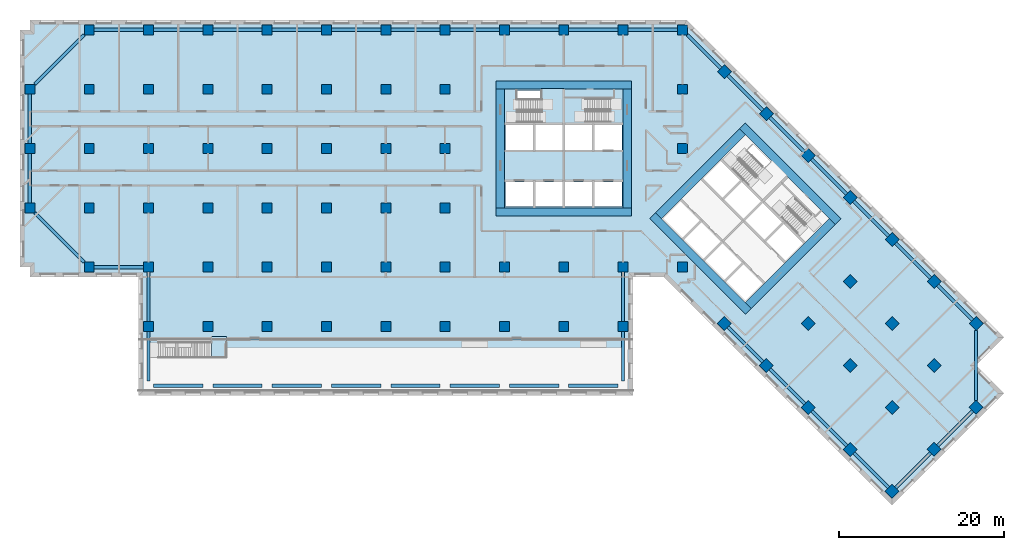
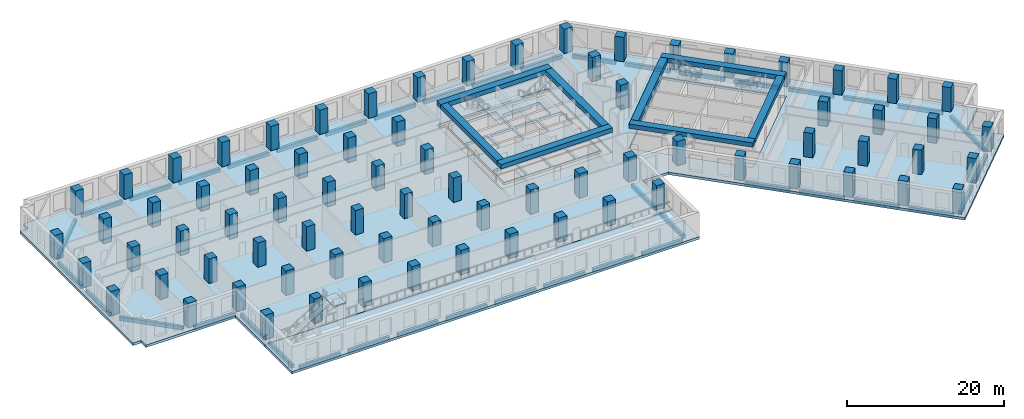
# One storey, part 1 of 13: 77 columns, 49 beams, 6 slabs, 12 openings, 3 elements without a shape of their own.
"""IFC4 building model written with IfcOpenShell, lengths in metres."""

from ifc_helpers import new_model, si_unit, direction, frame, origin, origin_2d, place, context, subcontext, project, spatial, polyline, rectangle, outline, extrude, material, layer, layer_set, material_profile, profile_set, type_object, element, aggregate, save


model = new_model("IFC4")

# Units and contexts
model_context = context("Model", 3, precision=1e-05, world=origin(), true_north=direction((0.0, 1.0)))
body_context = subcontext(model_context, "Body", "Model", "MODEL_VIEW")
ifc_project = project(units=[si_unit("LENGTHUNIT", "METRE"), si_unit("AREAUNIT", "SQUARE_METRE"), si_unit("VOLUMEUNIT", "CUBIC_METRE"), si_unit("PLANEANGLEUNIT", "RADIAN"), si_unit("MASSUNIT", "GRAM", prefix="KILO")], contexts=[model_context])

# Site, building, storey
site_placement = place(None, origin())
site = spatial("IfcSite", under=ifc_project, at=site_placement, CompositionType="ELEMENT")
building_placement = place(site_placement, origin())
building = spatial("IfcBuilding", under=site, at=building_placement, Name="Windrow Commons", CompositionType="ELEMENT")
storey_placement = place(building_placement, frame((0.0, 0.0, 14.4)))
storey = spatial("IfcBuildingStorey", under=building, at=storey_placement, Name="L03", CompositionType="ELEMENT", Elevation=14.4)

# Columns
ifc_material_1 = material(Name="Concrete C60/75", Category="concrete")
ifc_material_profile_1 = material_profile(ifc_material_1, rectangle(XDim=1.2, YDim=1.2, at=origin_2d()))
ifc_profile_set_1 = profile_set([ifc_material_profile_1], Name="Concrete C60/75")
column_type = type_object("IfcColumnType", Name="RC COLUMN 1200x1200 C60/75", PredefinedType="COLUMN", material=ifc_profile_set_1)
for number, where, z_axis, x_axis, name in (
    (1, (0.0, 50.4, 0.0), (0.0, 0.0, 1.0), (1.0, 0.0, 0.0), "C-P-01G"),
    (2, (0.0, 57.6, 0.0), (0.0, 0.0, 1.0), (1.0, 0.0, 0.0), "C-P-01H"),
    (3, (0.0, 64.8, 0.0), (0.0, 0.0, 1.0), (1.0, 0.0, 0.0), "C-P-01I"),
    (4, (7.2, 43.2, 0.0), (0.0, 0.0, 1.0), (1.0, 0.0, 0.0), "C-P-02F"),
    (5, (7.2, 50.4, 0.0), (0.0, 0.0, 1.0), (1.0, 0.0, 0.0), "C-P-02G"),
    (6, (7.2, 57.6, 0.0), (0.0, 0.0, 1.0), (1.0, 0.0, 0.0), "C-P-02H"),
    (7, (7.2, 64.8, 0.0), (0.0, 0.0, 1.0), (1.0, 0.0, 0.0), "C-P-02I"),
    (8, (7.2, 72.0, 0.0), (0.0, 0.0, 1.0), (1.0, 0.0, 0.0), "C-P-02J"),
    (9, (14.4, 36.0, 0.0), (0.0, 0.0, 1.0), (1.0, 0.0, 0.0), "C-P-03E"),
    (10, (14.4, 43.2, 0.0), (0.0, 0.0, 1.0), (1.0, 0.0, 0.0), "C-P-03F"),
    (11, (14.4, 50.4, 0.0), (0.0, 0.0, 1.0), (1.0, 0.0, 0.0), "C-P-03G"),
    (12, (14.4, 57.6, 0.0), (0.0, 0.0, 1.0), (1.0, 0.0, 0.0), "C-P-03H"),
    (13, (14.4, 64.8, 0.0), (0.0, 0.0, 1.0), (1.0, 0.0, 0.0), "C-P-03I"),
    (14, (14.4, 72.0, 0.0), (0.0, 0.0, 1.0), (1.0, 0.0, 0.0), "C-P-03J"),
    (15, (21.6, 36.0, 0.0), (0.0, 0.0, 1.0), (1.0, 0.0, 0.0), "C-P-04E"),
    (16, (21.6, 43.2, 0.0), (0.0, 0.0, 1.0), (1.0, 0.0, 0.0), "C-P-04F"),
    (17, (21.6, 50.4, 0.0), (0.0, 0.0, 1.0), (1.0, 0.0, 0.0), "C-P-04G"),
    (18, (21.6, 57.6, 0.0), (0.0, 0.0, 1.0), (1.0, 0.0, 0.0), "C-P-04H"),
    (19, (21.6, 64.8, 0.0), (0.0, 0.0, 1.0), (1.0, 0.0, 0.0), "C-P-04I"),
    (20, (21.6, 72.0, 0.0), (0.0, 0.0, 1.0), (1.0, 0.0, 0.0), "C-P-04J"),
    (21, (28.8, 36.0, 0.0), (0.0, 0.0, 1.0), (1.0, 0.0, 0.0), "C-P-05E"),
    (22, (28.8, 43.2, 0.0), (0.0, 0.0, 1.0), (1.0, 0.0, 0.0), "C-P-05F"),
    (23, (28.8, 50.4, 0.0), (0.0, 0.0, 1.0), (1.0, 0.0, 0.0), "C-P-05G"),
    (24, (28.8, 57.6, 0.0), (0.0, 0.0, 1.0), (1.0, 0.0, 0.0), "C-P-05H"),
    (25, (28.8, 64.8, 0.0), (0.0, 0.0, 1.0), (1.0, 0.0, 0.0), "C-P-05I"),
    (26, (28.8, 72.0, 0.0), (0.0, 0.0, 1.0), (1.0, 0.0, 0.0), "C-P-05J"),
    (27, (36.0, 36.0, 0.0), (0.0, 0.0, 1.0), (1.0, 0.0, 0.0), "C-P-06E"),
    (28, (36.0, 43.2, 0.0), (0.0, 0.0, 1.0), (1.0, 0.0, 0.0), "C-P-06F"),
    (29, (36.0, 50.4, 0.0), (0.0, 0.0, 1.0), (1.0, 0.0, 0.0), "C-P-06G"),
    (30, (36.0, 57.6, 0.0), (0.0, 0.0, 1.0), (1.0, 0.0, 0.0), "C-P-06H"),
    (31, (36.0, 64.8, 0.0), (0.0, 0.0, 1.0), (1.0, 0.0, 0.0), "C-P-06I"),
    (32, (36.0, 72.0, 0.0), (0.0, 0.0, 1.0), (1.0, 0.0, 0.0), "C-P-06J"),
    (33, (43.2, 36.0, 0.0), (0.0, 0.0, 1.0), (1.0, 0.0, 0.0), "C-P-07E"),
    (34, (43.2, 43.2, 0.0), (0.0, 0.0, 1.0), (1.0, 0.0, 0.0), "C-P-07F"),
    (35, (43.2, 50.4, 0.0), (0.0, 0.0, 1.0), (1.0, 0.0, 0.0), "C-P-07G"),
    (36, (43.2, 57.6, 0.0), (0.0, 0.0, 1.0), (1.0, 0.0, 0.0), "C-P-07H"),
    (37, (43.2, 64.8, 0.0), (0.0, 0.0, 1.0), (1.0, 0.0, 0.0), "C-P-07I"),
    (38, (43.2, 72.0, 0.0), (0.0, 0.0, 1.0), (1.0, 0.0, 0.0), "C-P-07J"),
    (39, (50.4, 36.0, 0.0), (0.0, 0.0, 1.0), (1.0, 0.0, 0.0), "C-P-08E"),
    (40, (50.4, 43.2, 0.0), (0.0, 0.0, 1.0), (1.0, 0.0, 0.0), "C-P-08F"),
    (41, (50.4, 50.4, 0.0), (0.0, 0.0, 1.0), (1.0, 0.0, 0.0), "C-P-08G"),
    (42, (50.4, 57.6, 0.0), (0.0, 0.0, 1.0), (1.0, 0.0, 0.0), "C-P-08H"),
    (43, (50.4, 64.8, 0.0), (0.0, 0.0, 1.0), (1.0, 0.0, 0.0), "C-P-08I"),
    (44, (50.4, 72.0, 0.0), (0.0, 0.0, 1.0), (1.0, 0.0, 0.0), "C-P-08J"),
    (45, (57.6, 36.0, 0.0), (0.0, 0.0, 1.0), (1.0, 0.0, 0.0), "C-P-09E"),
    (46, (57.6, 43.2, 0.0), (0.0, 0.0, 1.0), (1.0, 0.0, 0.0), "C-P-09F"),
    (47, (57.6, 72.0, 0.0), (0.0, 0.0, 1.0), (1.0, 0.0, 0.0), "C-P-09J"),
    (48, (64.8, 36.0, 0.0), (0.0, 0.0, 1.0), (1.0, 0.0, 0.0), "C-P-10E"),
    (49, (64.8, 43.2, 0.0), (0.0, 0.0, 1.0), (1.0, 0.0, 0.0), "C-P-10F"),
    (50, (64.8, 72.0, 0.0), (0.0, 0.0, 1.0), (1.0, 0.0, 0.0), "C-P-10J"),
    (51, (72.0, 36.0, 0.0), (0.0, 0.0, 1.0), (1.0, 0.0, 0.0), "C-P-11E"),
    (52, (72.0, 43.2, 0.0), (0.0, 0.0, 1.0), (1.0, 0.0, 0.0), "C-P-11F"),
    (53, (72.0, 72.0, 0.0), (0.0, 0.0, 1.0), (1.0, 0.0, 0.0), "C-P-11J"),
    (54, (79.2, 43.2, 0.0), (0.0, 0.0, 1.0), (1.0, 0.0, 0.0), "C-P-12F"),
    (55, (79.2, 57.6, 0.0), (0.0, 0.0, 1.0), (1.0, 0.0, 0.0), "C-P-12H"),
    (56, (79.2, 64.8, 0.0), (0.0, 0.0, 1.0), (1.0, 0.0, 0.0), "C-P-12I"),
    (57, (79.2, 72.0, 0.0), (0.0, 0.0, 1.0), (1.0, 0.0, 0.0), "C-P-12J"),
    (58, (84.2912, 66.9088, 0.0), (0.0, 0.0, 1.0), (0.7071067812, -0.7071067812, 0.0), "C-P-P2Q"),
    (59, (89.3823, 61.8177, 0.0), (0.0, 0.0, 1.0), (0.7071067812, -0.7071067812, 0.0), "C-P-P3Q"),
    (60, (94.4735, 56.7265, 0.0), (0.0, 0.0, 1.0), (0.7071067812, -0.7071067812, 0.0), "C-P-P4Q"),
    (61, (99.5647, 51.6353, 0.0), (0.0, 0.0, 1.0), (0.7071067812, -0.7071067812, 0.0), "C-P-P5Q"),
    (62, (84.2912, 36.3618, 0.0), (0.0, 0.0, 1.0), (0.7071067812, -0.7071067812, 0.0), "C-P-P5T"),
    (63, (104.6558, 46.5442, 0.0), (0.0, 0.0, 1.0), (0.7071067812, -0.7071067812, 0.0), "C-P-P6Q"),
    (64, (99.5647, 41.453, 0.0), (0.0, 0.0, 1.0), (0.7071067812, -0.7071067812, 0.0), "C-P-P6R"),
    (65, (94.4735, 36.3618, 0.0), (0.0, 0.0, 1.0), (0.7071067812, -0.7071067812, 0.0), "C-P-P6S"),
    (66, (89.3823, 31.2706, 0.0), (0.0, 0.0, 1.0), (0.7071067812, -0.7071067812, 0.0), "C-P-P6T"),
    (67, (109.747, 41.453, 0.0), (0.0, 0.0, 1.0), (0.7071067812, -0.7071067812, 0.0), "C-P-P7Q"),
    (68, (104.6558, 36.3618, 0.0), (0.0, 0.0, 1.0), (0.7071067812, -0.7071067812, 0.0), "C-P-P7R"),
    (69, (99.5647, 31.2706, 0.0), (0.0, 0.0, 1.0), (0.7071067812, -0.7071067812, 0.0), "C-P-P7S"),
    (70, (94.4735, 26.1795, 0.0), (0.0, 0.0, 1.0), (0.7071067812, -0.7071067812, 0.0), "C-P-P7T"),
    (71, (114.8382, 36.3618, 0.0), (0.0, 0.0, 1.0), (0.7071067812, -0.7071067812, 0.0), "C-P-P8Q"),
    (72, (109.747, 31.2706, 0.0), (0.0, 0.0, 1.0), (0.7071067812, -0.7071067812, 0.0), "C-P-P8R"),
    (73, (104.6558, 26.1795, 0.0), (0.0, 0.0, 1.0), (0.7071067812, -0.7071067812, 0.0), "C-P-P8S"),
    (74, (99.5647, 21.0883, 0.0), (0.0, 0.0, 1.0), (0.7071067812, -0.7071067812, 0.0), "C-P-P8T"),
    (75, (114.8382, 26.1795, 0.0), (0.0, 0.0, 1.0), (0.7071067812, -0.7071067812, 0.0), "C-P-P9R"),
    (76, (109.747, 21.0883, 0.0), (0.0, 0.0, 1.0), (0.7071067812, -0.7071067812, 0.0), "C-P-P9S"),
    (77, (104.6558, 15.9971, 0.0), (0.0, 0.0, 1.0), (0.7071067812, -0.7071067812, 0.0), "C-P-P9T"),
):
    element("IfcColumn", number, at=place(storey_placement, frame(where, z_axis=z_axis, x_axis=x_axis)), inside=storey, type_object=column_type, Name=name, PredefinedType="COLUMN", context=body_context, shape_type="SweptSolid", body=[
        extrude(rectangle(XDim=1.2, YDim=1.2, at=origin_2d()), origin(), (0.0, 0.0, 1.0), 3.8),
    ])

# Beams
ifc_material_2 = material(Name="Concrete C60/75", Category="concrete")
ifc_material_profile_2 = material_profile(ifc_material_2, rectangle(XDim=1.0, YDim=0.7, at=origin_2d()))
ifc_profile_set_2 = profile_set([ifc_material_profile_2], Name="Concrete C60/75")
beam_type_1 = type_object("IfcBeamType", Name="RC COUPLING BEAM 1000x700 C60/75", PredefinedType="LINTEL", material=ifc_profile_set_2)
for number, where, z_axis, x_axis, name in (
    (78, (56.6, 49.9, 3.45), (1.0, 0.0, 0.0), (0.0, 1.0, 0.0), "Core A coupling beam outer-S"),
    (79, (56.6, 65.3, 3.45), (1.0, 0.0, 0.0), (0.0, 1.0, 0.0), "Core A coupling beam outer-N"),
):
    element("IfcBeam", number, at=place(storey_placement, frame(where, z_axis=z_axis, x_axis=x_axis)), inside=storey, type_object=beam_type_1, Name=name, PredefinedType="LINTEL", context=body_context, shape_type="SweptSolid", body=[
        extrude(rectangle(XDim=1.0, YDim=0.7, at=origin_2d()), origin(), (0.0, 0.0, 1.0), 16.4),
    ])
for number, where, z_axis, x_axis, name in (
    (80, (57.1, 50.4, 3.45), (0.0, 1.0, 0.0), (-1.0, 0.0, 0.0), "Core A coupling beam outer-W"),
    (81, (72.5, 50.4, 3.45), (0.0, 1.0, 0.0), (-1.0, 0.0, 0.0), "Core A coupling beam outer-E"),
):
    element("IfcBeam", number, at=place(storey_placement, frame(where, z_axis=z_axis, x_axis=x_axis)), inside=storey, type_object=beam_type_1, Name=name, PredefinedType="LINTEL", context=body_context, shape_type="SweptSolid", body=[
        extrude(rectangle(XDim=1.0, YDim=0.7, at=origin_2d()), origin(), (0.0, 0.0, 1.0), 14.4),
    ])
for number, where, z_axis, x_axis, name in (
    (82, (75.5938, 49.4433, 3.45), (0.7071037324, -0.70710983, 0.0), (0.70710983, 0.7071037324, 0.0), "Core B coupling beam outer-S"),
    (83, (86.4832, 60.3327, 3.45), (0.70710983, -0.7071037324, 0.0), (0.7071037324, 0.70710983, 0.0), "Core B coupling beam outer-N"),
):
    element("IfcBeam", number, at=place(storey_placement, frame(where, z_axis=z_axis, x_axis=x_axis)), inside=storey, type_object=beam_type_1, Name=name, PredefinedType="LINTEL", context=body_context, shape_type="SweptSolid", body=[
        extrude(rectangle(XDim=1.0, YDim=0.7, at=origin_2d()), origin(), (0.0, 0.0, 1.0), 16.4),
    ])
beam_1_placement = place(storey_placement, frame((76.3009, 49.4433, 3.45), z_axis=(0.7071067812, 0.7071067812, 0.0), x_axis=(-0.7071067812, 0.7071067812, 0.0)))
element("IfcBeam", 84, at=beam_1_placement, inside=storey, type_object=beam_type_1, Name="Core B coupling beam outer-W", PredefinedType="LINTEL", context=body_context, shape_type="SweptSolid", body=[
    extrude(rectangle(XDim=1.0, YDim=0.7, at=origin_2d()), origin(), (0.0, 0.0, 1.0), 14.3999),
])
beam_2_placement = place(storey_placement, frame((87.1903, 38.5538, 3.45), z_axis=(0.707103309, 0.7071102534, 0.0), x_axis=(-0.7071102534, 0.707103309, 0.0)))
element("IfcBeam", 85, at=beam_2_placement, inside=storey, type_object=beam_type_1, Name="Core B coupling beam outer-E", PredefinedType="LINTEL", context=body_context, shape_type="SweptSolid", body=[
    extrude(rectangle(XDim=1.0, YDim=0.7, at=origin_2d()), origin(), (0.0, 0.0, 1.0), 14.4),
])
ifc_material_3 = material(Name="Concrete C60/75", Category="concrete")
ifc_material_profile_3 = material_profile(ifc_material_3, rectangle(XDim=0.4, YDim=0.6, at=origin_2d()))
ifc_profile_set_3 = profile_set([ifc_material_profile_3], Name="Concrete C60/75")
beam_type_2 = type_object("IfcBeamType", Name="RC EDGE BEAM 400x600 C60/75", PredefinedType="SPANDREL", material=ifc_profile_set_3)
for number, where, z_axis, x_axis, name in (
    (86, (14.4, 36.6, -0.7), (0.0, 1.0, 0.0), (-1.0, 0.0, 0.0), "Edge beam L03 001"),
    (87, (13.8, 43.2, -0.7), (-1.0, 0.0, 0.0), (0.0, -1.0, 0.0), "Edge beam L03 002"),
):
    element("IfcBeam", number, at=place(storey_placement, frame(where, z_axis=z_axis, x_axis=x_axis)), inside=storey, type_object=beam_type_2, Name=name, PredefinedType="SPANDREL", context=body_context, shape_type="SweptSolid", body=[
        extrude(rectangle(XDim=0.4, YDim=0.6, at=origin_2d()), origin(), (0.0, 0.0, 1.0), 6.0),
    ])
beam_3_placement = place(storey_placement, frame((6.6, 43.8, -0.7), z_axis=(-0.7071067812, 0.7071067812, 0.0), x_axis=(-0.7071067812, -0.7071067812, 0.0)))
element("IfcBeam", 88, at=beam_3_placement, inside=storey, type_object=beam_type_2, Name="Edge beam L03 003", PredefinedType="SPANDREL", context=body_context, shape_type="SweptSolid", body=[
    extrude(rectangle(XDim=0.4, YDim=0.6, at=origin_2d()), origin(), (0.0, 0.0, 1.0), 8.4853),
])
for number, where, z_axis, x_axis, name in (
    (89, (0.0, 51.0, -0.7), (0.0, 1.0, 0.0), (-1.0, 0.0, 0.0), "Edge beam L03 004"),
    (90, (0.0, 58.2, -0.7), (0.0, 1.0, 0.0), (-1.0, 0.0, 0.0), "Edge beam L03 005"),
):
    element("IfcBeam", number, at=place(storey_placement, frame(where, z_axis=z_axis, x_axis=x_axis)), inside=storey, type_object=beam_type_2, Name=name, PredefinedType="SPANDREL", context=body_context, shape_type="SweptSolid", body=[
        extrude(rectangle(XDim=0.4, YDim=0.6, at=origin_2d()), origin(), (0.0, 0.0, 1.0), 6.0),
    ])
beam_4_placement = place(storey_placement, frame((0.6, 65.4, -0.7), z_axis=(0.7071067812, 0.7071067812, 0.0), x_axis=(-0.7071067812, 0.7071067812, 0.0)))
element("IfcBeam", 91, at=beam_4_placement, inside=storey, type_object=beam_type_2, Name="Edge beam L03 006", PredefinedType="SPANDREL", context=body_context, shape_type="SweptSolid", body=[
    extrude(rectangle(XDim=0.4, YDim=0.6, at=origin_2d()), origin(), (0.0, 0.0, 1.0), 8.4853),
])
for number, where, z_axis, x_axis, name in (
    (92, (7.8, 72.0, -0.7), (1.0, 0.0, 0.0), (0.0, 1.0, 0.0), "Edge beam L03 007"),
    (93, (15.0, 72.0, -0.7), (1.0, 0.0, 0.0), (0.0, 1.0, 0.0), "Edge beam L03 008"),
    (94, (22.2, 72.0, -0.7), (1.0, 0.0, 0.0), (0.0, 1.0, 0.0), "Edge beam L03 009"),
    (95, (29.4, 72.0, -0.7), (1.0, 0.0, 0.0), (0.0, 1.0, 0.0), "Edge beam L03 010"),
    (96, (36.6, 72.0, -0.7), (1.0, 0.0, 0.0), (0.0, 1.0, 0.0), "Edge beam L03 011"),
    (97, (43.8, 72.0, -0.7), (1.0, 0.0, 0.0), (0.0, 1.0, 0.0), "Edge beam L03 012"),
    (98, (51.0, 72.0, -0.7), (1.0, 0.0, 0.0), (0.0, 1.0, 0.0), "Edge beam L03 013"),
    (99, (58.2, 72.0, -0.7), (1.0, 0.0, 0.0), (0.0, 1.0, 0.0), "Edge beam L03 014"),
    (100, (65.4, 72.0, -0.7), (1.0, 0.0, 0.0), (0.0, 1.0, 0.0), "Edge beam L03 015"),
    (101, (72.6, 72.0, -0.7), (1.0, 0.0, 0.0), (0.0, 1.0, 0.0), "Edge beam L03 016"),
):
    element("IfcBeam", number, at=place(storey_placement, frame(where, z_axis=z_axis, x_axis=x_axis)), inside=storey, type_object=beam_type_2, Name=name, PredefinedType="SPANDREL", context=body_context, shape_type="SweptSolid", body=[
        extrude(rectangle(XDim=0.4, YDim=0.6, at=origin_2d()), origin(), (0.0, 0.0, 1.0), 6.0),
    ])
beam_5_placement = place(storey_placement, frame((79.8, 71.4, -0.7), z_axis=(0.7071067812, -0.7071067812, 0.0), x_axis=(0.7071067812, 0.7071067812, 0.0)))
element("IfcBeam", 102, at=beam_5_placement, inside=storey, type_object=beam_type_2, Name="Edge beam L03 017", PredefinedType="SPANDREL", context=body_context, shape_type="SweptSolid", body=[
    extrude(rectangle(XDim=0.4, YDim=0.6, at=origin_2d()), origin(), (0.0, 0.0, 1.0), 5.7515),
])
beam_6_placement = place(storey_placement, frame((84.7155, 66.4845, -0.7), z_axis=(0.7071067812, -0.7071067812, 0.0), x_axis=(0.7071067812, 0.7071067812, 0.0)))
element("IfcBeam", 103, at=beam_6_placement, inside=storey, type_object=beam_type_2, Name="Edge beam L03 018", PredefinedType="SPANDREL", context=body_context, shape_type="SweptSolid", body=[
    extrude(rectangle(XDim=0.4, YDim=0.6, at=origin_2d()), origin(), (0.0, 0.0, 1.0), 5.9998),
])
for number, where, z_axis, x_axis, name in (
    (104, (89.8066, 61.3934, -0.7), (0.7071067812, -0.7071067812, 0.0), (0.7071067812, 0.7071067812, 0.0), "Edge beam L03 019"),
    (105, (94.8978, 56.3022, -0.7), (0.7071067812, -0.7071067812, 0.0), (0.7071067812, 0.7071067812, 0.0), "Edge beam L03 020"),
):
    element("IfcBeam", number, at=place(storey_placement, frame(where, z_axis=z_axis, x_axis=x_axis)), inside=storey, type_object=beam_type_2, Name=name, PredefinedType="SPANDREL", context=body_context, shape_type="SweptSolid", body=[
        extrude(rectangle(XDim=0.4, YDim=0.6, at=origin_2d()), origin(), (0.0, 0.0, 1.0), 5.9999),
    ])
beam_7_placement = place(storey_placement, frame((99.989, 51.211, -0.7), z_axis=(0.7071067812, -0.7071067812, 0.0), x_axis=(0.7071067812, 0.7071067812, 0.0)))
element("IfcBeam", 106, at=beam_7_placement, inside=storey, type_object=beam_type_2, Name="Edge beam L03 021", PredefinedType="SPANDREL", context=body_context, shape_type="SweptSolid", body=[
    extrude(rectangle(XDim=0.4, YDim=0.6, at=origin_2d()), origin(), (0.0, 0.0, 1.0), 5.9998),
])
for number, where, z_axis, x_axis, name in (
    (107, (105.0801, 46.1199, -0.7), (0.7071067812, -0.7071067812, 0.0), (0.7071067812, 0.7071067812, 0.0), "Edge beam L03 022"),
    (108, (110.1713, 41.0287, -0.7), (0.7071067812, -0.7071067812, 0.0), (0.7071067812, 0.7071067812, 0.0), "Edge beam L03 023"),
):
    element("IfcBeam", number, at=place(storey_placement, frame(where, z_axis=z_axis, x_axis=x_axis)), inside=storey, type_object=beam_type_2, Name=name, PredefinedType="SPANDREL", context=body_context, shape_type="SweptSolid", body=[
        extrude(rectangle(XDim=0.4, YDim=0.6, at=origin_2d()), origin(), (0.0, 0.0, 1.0), 5.9999),
    ])
beam_8_placement = place(storey_placement, frame((114.8382, 35.5133, -0.7), z_axis=(0.0, -1.0, 0.0), x_axis=(1.0, 0.0, 0.0)))
element("IfcBeam", 109, at=beam_8_placement, inside=storey, type_object=beam_type_2, Name="Edge beam L03 024", PredefinedType="SPANDREL", context=body_context, shape_type="SweptSolid", body=[
    extrude(rectangle(XDim=0.4, YDim=0.6, at=origin_2d()), origin(), (0.0, 0.0, 1.0), 8.4853),
])
for number, where, z_axis, x_axis, name in (
    (110, (114.4139, 25.7552, -0.7), (-0.7071067812, -0.7071067812, 0.0), (0.7071067812, -0.7071067812, 0.0), "Edge beam L03 025"),
    (111, (109.3227, 20.664, -0.7), (-0.7071067812, -0.7071067812, 0.0), (0.7071067812, -0.7071067812, 0.0), "Edge beam L03 026"),
    (112, (104.2315, 16.4214, -0.7), (-0.7070984476, 0.7071151146, 0.0), (-0.7071151146, -0.7070984476, 0.0), "Edge beam L03 027"),
    (113, (99.1404, 21.5126, -0.7), (-0.7071067812, 0.7071067812, 0.0), (-0.7071067812, -0.7071067812, 0.0), "Edge beam L03 028"),
    (114, (94.0492, 26.6038, -0.7), (-0.7071151146, 0.7070984476, 0.0), (-0.7070984476, -0.7071151146, 0.0), "Edge beam L03 029"),
    (115, (88.958, 31.6949, -0.7), (-0.7070984476, 0.7071151146, 0.0), (-0.7071151146, -0.7070984476, 0.0), "Edge beam L03 030"),
):
    element("IfcBeam", number, at=place(storey_placement, frame(where, z_axis=z_axis, x_axis=x_axis)), inside=storey, type_object=beam_type_2, Name=name, PredefinedType="SPANDREL", context=body_context, shape_type="SweptSolid", body=[
        extrude(rectangle(XDim=0.4, YDim=0.6, at=origin_2d()), origin(), (0.0, 0.0, 1.0), 5.9999),
    ])
for number, where, z_axis, x_axis, name in (
    (116, (72.0, 42.6, -0.7), (0.0, -1.0, 0.0), (1.0, 0.0, 0.0), "Edge beam L03 031"),
    (117, (72.0, 35.4, -0.7), (0.0, -1.0, 0.0), (1.0, 0.0, 0.0), "Edge beam L03 032"),
    (118, (71.4, 28.8, -0.7), (-1.0, 0.0, 0.0), (0.0, -1.0, 0.0), "Edge beam L03 033"),
    (119, (64.2, 28.8, -0.7), (-1.0, 0.0, 0.0), (0.0, -1.0, 0.0), "Edge beam L03 034"),
    (120, (57.0, 28.8, -0.7), (-1.0, 0.0, 0.0), (0.0, -1.0, 0.0), "Edge beam L03 035"),
    (121, (49.8, 28.8, -0.7), (-1.0, 0.0, 0.0), (0.0, -1.0, 0.0), "Edge beam L03 036"),
    (122, (42.6, 28.8, -0.7), (-1.0, 0.0, 0.0), (0.0, -1.0, 0.0), "Edge beam L03 037"),
    (123, (35.4, 28.8, -0.7), (-1.0, 0.0, 0.0), (0.0, -1.0, 0.0), "Edge beam L03 038"),
    (124, (28.2, 28.8, -0.7), (-1.0, 0.0, 0.0), (0.0, -1.0, 0.0), "Edge beam L03 039"),
    (125, (21.0, 28.8, -0.7), (-1.0, 0.0, 0.0), (0.0, -1.0, 0.0), "Edge beam L03 040"),
    (126, (14.4, 29.4, -0.7), (0.0, 1.0, 0.0), (-1.0, 0.0, 0.0), "Edge beam L03 041"),
):
    element("IfcBeam", number, at=place(storey_placement, frame(where, z_axis=z_axis, x_axis=x_axis)), inside=storey, type_object=beam_type_2, Name=name, PredefinedType="SPANDREL", context=body_context, shape_type="SweptSolid", body=[
        extrude(rectangle(XDim=0.4, YDim=0.6, at=origin_2d()), origin(), (0.0, 0.0, 1.0), 6.0),
    ])

# Slab, openings
ifc_material_4 = material(Name="Concrete C60/75", Category="concrete")
ifc_layer_1 = layer(ifc_material_4, 0.4)
ifc_layer_set_1 = layer_set([ifc_layer_1], Name="CORE FLOOR SLAB 400 C60/75")
slab_type_1 = type_object("IfcSlabType", Name="CORE FLOOR SLAB 400 C60/75", PredefinedType="FLOOR", material=ifc_layer_set_1)
placement_1 = place(storey_placement, frame((0.0, 0.0, -0.4)))
slab_1 = element("IfcSlab", 127, at=placement_1, inside=storey, type_object=slab_type_1, Name="S-L03-core-A", PredefinedType="FLOOR", context=body_context, shape_type="SweptSolid", body=[
    extrude(outline(polyline([(57.6, 50.4), (72.0, 50.4), (72.0, 64.8), (57.6, 64.8), (57.6, 50.4)]), holes=[polyline([(57.75, 50.55), (61.05, 50.55), (61.05, 53.55), (57.75, 53.55), (57.75, 50.55)]), polyline([(61.35, 50.55), (64.65, 50.55), (64.65, 53.55), (61.35, 53.55), (61.35, 50.55)]), polyline([(64.95, 50.55), (68.25, 50.55), (68.25, 53.55), (64.95, 53.55), (64.95, 50.55)]), polyline([(68.55, 50.55), (71.85, 50.55), (71.85, 53.55), (68.55, 53.55), (68.55, 50.55)]), polyline([(57.75, 57.45), (61.05, 57.45), (61.05, 60.45), (57.75, 60.45), (57.75, 57.45)]), polyline([(61.35, 57.45), (64.65, 57.45), (64.65, 60.45), (61.35, 60.45), (61.35, 57.45)]), polyline([(64.95, 57.45), (68.25, 57.45), (68.25, 60.45), (64.95, 60.45), (64.95, 57.45)]), polyline([(68.55, 57.45), (71.85, 57.45), (71.85, 60.45), (68.55, 60.45), (68.55, 57.45)]), polyline([(59.1, 60.75), (64.65, 60.75), (64.65, 64.65), (59.1, 64.65), (59.1, 60.75)]), polyline([(64.95, 60.75), (70.5, 60.75), (70.5, 63.705), (64.95, 63.705), (64.95, 60.75)])]), origin(), (0.0, 0.0, 1.0), 0.4),
])
opening_1_placement = place(placement_1, origin())
element("IfcOpeningElement", 128, at=opening_1_placement, cuts=slab_1, Name="Slab opening S-L03-core-A 1", PredefinedType="OPENING", context=body_context, shape_type="SweptSolid", body=[
    extrude(outline(polyline([(57.755, 50.555), (57.755, 53.545), (61.045, 53.545), (61.045, 50.555), (57.755, 50.555)])), origin(), (0.0, 0.0, 1.0), 0.4),
])
opening_2_placement = place(placement_1, origin())
element("IfcOpeningElement", 129, at=opening_2_placement, cuts=slab_1, Name="Slab opening S-L03-core-A 2", PredefinedType="OPENING", context=body_context, shape_type="SweptSolid", body=[
    extrude(outline(polyline([(61.355, 50.555), (61.355, 53.545), (64.645, 53.545), (64.645, 50.555), (61.355, 50.555)])), origin(), (0.0, 0.0, 1.0), 0.4),
])
opening_3_placement = place(placement_1, origin())
element("IfcOpeningElement", 130, at=opening_3_placement, cuts=slab_1, Name="Slab opening S-L03-core-A 3", PredefinedType="OPENING", context=body_context, shape_type="SweptSolid", body=[
    extrude(outline(polyline([(64.955, 50.555), (64.955, 53.545), (68.245, 53.545), (68.245, 50.555), (64.955, 50.555)])), origin(), (0.0, 0.0, 1.0), 0.4),
])
opening_4_placement = place(placement_1, origin())
element("IfcOpeningElement", 131, at=opening_4_placement, cuts=slab_1, Name="Slab opening S-L03-core-A 4", PredefinedType="OPENING", context=body_context, shape_type="SweptSolid", body=[
    extrude(outline(polyline([(68.555, 50.555), (68.555, 53.545), (71.845, 53.545), (71.845, 50.555), (68.555, 50.555)])), origin(), (0.0, 0.0, 1.0), 0.4),
])
opening_5_placement = place(placement_1, origin())
element("IfcOpeningElement", 132, at=opening_5_placement, cuts=slab_1, Name="Slab opening S-L03-core-A 5", PredefinedType="OPENING", context=body_context, shape_type="SweptSolid", body=[
    extrude(outline(polyline([(57.755, 57.455), (57.755, 60.445), (61.045, 60.445), (61.045, 57.455), (57.755, 57.455)])), origin(), (0.0, 0.0, 1.0), 0.4),
])
opening_6_placement = place(placement_1, origin())
element("IfcOpeningElement", 133, at=opening_6_placement, cuts=slab_1, Name="Slab opening S-L03-core-A 6", PredefinedType="OPENING", context=body_context, shape_type="SweptSolid", body=[
    extrude(outline(polyline([(61.355, 57.455), (61.355, 60.445), (64.645, 60.445), (64.645, 57.455), (61.355, 57.455)])), origin(), (0.0, 0.0, 1.0), 0.4),
])
opening_7_placement = place(placement_1, origin())
element("IfcOpeningElement", 134, at=opening_7_placement, cuts=slab_1, Name="Slab opening S-L03-core-A 7", PredefinedType="OPENING", context=body_context, shape_type="SweptSolid", body=[
    extrude(outline(polyline([(64.955, 57.455), (64.955, 60.445), (68.245, 60.445), (68.245, 57.455), (64.955, 57.455)])), origin(), (0.0, 0.0, 1.0), 0.4),
])
opening_8_placement = place(placement_1, origin())
element("IfcOpeningElement", 135, at=opening_8_placement, cuts=slab_1, Name="Slab opening S-L03-core-A 8", PredefinedType="OPENING", context=body_context, shape_type="SweptSolid", body=[
    extrude(outline(polyline([(68.555, 57.455), (68.555, 60.445), (71.845, 60.445), (71.845, 57.455), (68.555, 57.455)])), origin(), (0.0, 0.0, 1.0), 0.4),
])
opening_9_placement = place(placement_1, origin())
element("IfcOpeningElement", 136, at=opening_9_placement, cuts=slab_1, Name="Slab opening S-L03-core-A 9", PredefinedType="OPENING", context=body_context, shape_type="SweptSolid", body=[
    extrude(outline(polyline([(59.105, 60.755), (59.105, 64.645), (64.645, 64.645), (64.645, 60.755), (59.105, 60.755)])), origin(), (0.0, 0.0, 1.0), 0.4),
])
opening_10_placement = place(placement_1, origin())
element("IfcOpeningElement", 137, at=opening_10_placement, cuts=slab_1, Name="Slab opening S-L03-core-A 10", PredefinedType="OPENING", context=body_context, shape_type="SweptSolid", body=[
    extrude(outline(polyline([(64.955, 60.755), (64.955, 63.7), (70.495, 63.7), (70.495, 60.755), (64.955, 60.755)])), origin(), (0.0, 0.0, 1.0), 0.4),
])

# Stair, slab
ifc_material_5 = material(Name="Concrete C40/50", Category="concrete")
stair_type_1 = type_object("IfcStairType", Name="Core stair", PredefinedType="HALF_TURN_STAIR", material=ifc_material_5)
placement_2 = place(storey_placement, origin())
stair_1 = element("IfcStair", 138, at=placement_2, inside=storey, type_object=stair_type_1, Name="L03 Exit stair A1 core A", PredefinedType="HALF_TURN_STAIR")
ifc_material_6 = material(Name="Concrete C40/50", Category="concrete")
ifc_layer_2 = layer(ifc_material_6, 0.2)
ifc_layer_set_2 = layer_set([ifc_layer_2], Name="Core stair landing")
slab_type_2 = type_object("IfcSlabType", Name="Core stair landing", PredefinedType="LANDING", material=ifc_layer_set_2)
placement_3 = place(storey_placement, frame((0.0, 0.0, 1.9)))
slab_2 = element("IfcSlab", 139, at=placement_3, type_object=slab_type_2, Name="ST-A1 landing 1", PredefinedType="LANDING", context=body_context, shape_type="SweptSolid", body=[
    extrude(outline(polyline([(62.06, 60.5), (64.8, 60.5), (64.8, 64.9), (62.06, 64.9), (62.06, 60.5)])), origin(), (0.0, 0.0, 1.0), 0.2),
])
aggregate(stair_1, [slab_2])

stair_2 = element("IfcStair", 140, at=placement_2, inside=storey, type_object=stair_type_1, Name="L03 Exit stair A2 core A", PredefinedType="HALF_TURN_STAIR")
slab_3 = element("IfcSlab", 141, at=placement_3, type_object=slab_type_2, Name="ST-A2 landing 1", PredefinedType="LANDING", context=body_context, shape_type="SweptSolid", body=[
    extrude(outline(polyline([(64.8, 60.5), (67.54, 60.5), (67.54, 63.855), (64.8, 63.855), (64.8, 60.5)])), origin(), (0.0, 0.0, 1.0), 0.2),
])
aggregate(stair_2, [slab_3])

# Slab, openings
ifc_material_7 = material(Name="Concrete C60/75", Category="concrete")
ifc_layer_3 = layer(ifc_material_7, 0.4)
ifc_layer_set_3 = layer_set([ifc_layer_3], Name="FLOOR SLAB 400 C60/75")
slab_type_3 = type_object("IfcSlabType", Name="FLOOR SLAB 400 C60/75", PredefinedType="FLOOR", material=ifc_layer_set_3)
slab_4 = element("IfcSlab", 142, at=placement_1, inside=storey, type_object=slab_type_3, Name="S-L03-floor", PredefinedType="FLOOR", context=body_context, shape_type="SweptSolid", body=[
    extrude(outline(polyline([(73.2, 42.0), (76.9559, 42.0), (104.6558, 14.3001), (118.2323, 27.8765), (114.8382, 31.2706), (118.2323, 34.6648), (79.6971, 73.2), (0.0, 73.2), (0.0, 72.0), (-1.2, 72.0), (-1.2, 43.2), (0.0, 43.2), (0.0, 42.0), (13.2, 42.0), (13.2, 34.5), (73.2, 34.5), (73.2, 42.0)]), holes=[polyline([(75.2402, 49.0897), (86.8368, 60.6863), (98.4333, 49.0897), (86.8368, 37.4932), (75.2402, 49.0897)]), polyline([(56.6, 49.4), (56.6, 65.8), (73.0, 65.8), (73.0, 49.4), (56.6, 49.4)])]), origin(), (0.0, 0.0, 1.0), 0.4),
])
opening_11_placement = place(placement_1, origin())
element("IfcOpeningElement", 143, at=opening_11_placement, cuts=slab_4, Name="Slab opening S-L03-floor 1", PredefinedType="OPENING", context=body_context, shape_type="SweptSolid", body=[
    extrude(outline(polyline([(75.2473, 49.0897), (86.8368, 60.6792), (98.4262, 49.0897), (86.8368, 37.5003), (75.2473, 49.0897)])), origin(), (0.0, 0.0, 1.0), 0.4),
])
opening_12_placement = place(placement_1, origin())
element("IfcOpeningElement", 144, at=opening_12_placement, cuts=slab_4, Name="Slab opening S-L03-floor 2", PredefinedType="OPENING", context=body_context, shape_type="SweptSolid", body=[
    extrude(outline(polyline([(56.605, 49.405), (56.605, 65.795), (72.995, 65.795), (72.995, 49.405), (56.605, 49.405)])), origin(), (0.0, 0.0, 1.0), 0.4),
])

# Slab
ifc_material_8 = material(Name="Concrete C60/75", Category="concrete")
ifc_layer_4 = layer(ifc_material_8, 0.4)
ifc_layer_set_4 = layer_set([ifc_layer_4], Name="TERRACE SLAB 400 C60/75")
slab_type_4 = type_object("IfcSlabType", Name="TERRACE SLAB 400 C60/75", PredefinedType="FLOOR", material=ifc_layer_set_4)
element("IfcSlab", 145, at=placement_1, inside=storey, type_object=slab_type_4, Name="Terrace slab TR-L03-1", PredefinedType="FLOOR", context=body_context, shape_type="SweptSolid", body=[
    extrude(outline(polyline([(13.2, 27.6), (73.2, 27.6), (73.2, 34.5), (13.2, 34.5), (13.2, 27.6)])), origin(), (0.0, 0.0, 1.0), 0.4),
])

# Stair, slab
ifc_material_9 = material(Name="Concrete C40/50", Category="concrete")
stair_type_2 = type_object("IfcStairType", Name="Terrace public stair", PredefinedType="STRAIGHT_RUN_STAIR", material=ifc_material_9)
stair_3 = element("IfcStair", 146, at=placement_2, inside=storey, type_object=stair_type_2, Name="Public stair L03 to L04", PredefinedType="STRAIGHT_RUN_STAIR")
ifc_material_10 = material(Name="Concrete C40/50", Category="concrete")
ifc_layer_5 = layer(ifc_material_10, 0.2)
ifc_layer_set_5 = layer_set([ifc_layer_5], Name="Terrace public stair landing")
slab_type_5 = type_object("IfcSlabType", Name="Terrace public stair landing", PredefinedType="LANDING", material=ifc_layer_set_5)
slab_6_placement = place(storey_placement, frame((0.0, 0.0, 4.0)))
slab_6 = element("IfcSlab", 147, at=slab_6_placement, type_object=slab_type_5, Name="TST landing 1", PredefinedType="LANDING", context=body_context, shape_type="SweptSolid", body=[
    extrude(outline(polyline([(22.04, 34.8), (23.84, 34.8), (23.84, 32.25), (22.04, 32.25), (22.04, 34.8)])), origin(), (0.0, 0.0, 1.0), 0.2),
])
aggregate(stair_3, [slab_6])

save(model, "model.ifc")
